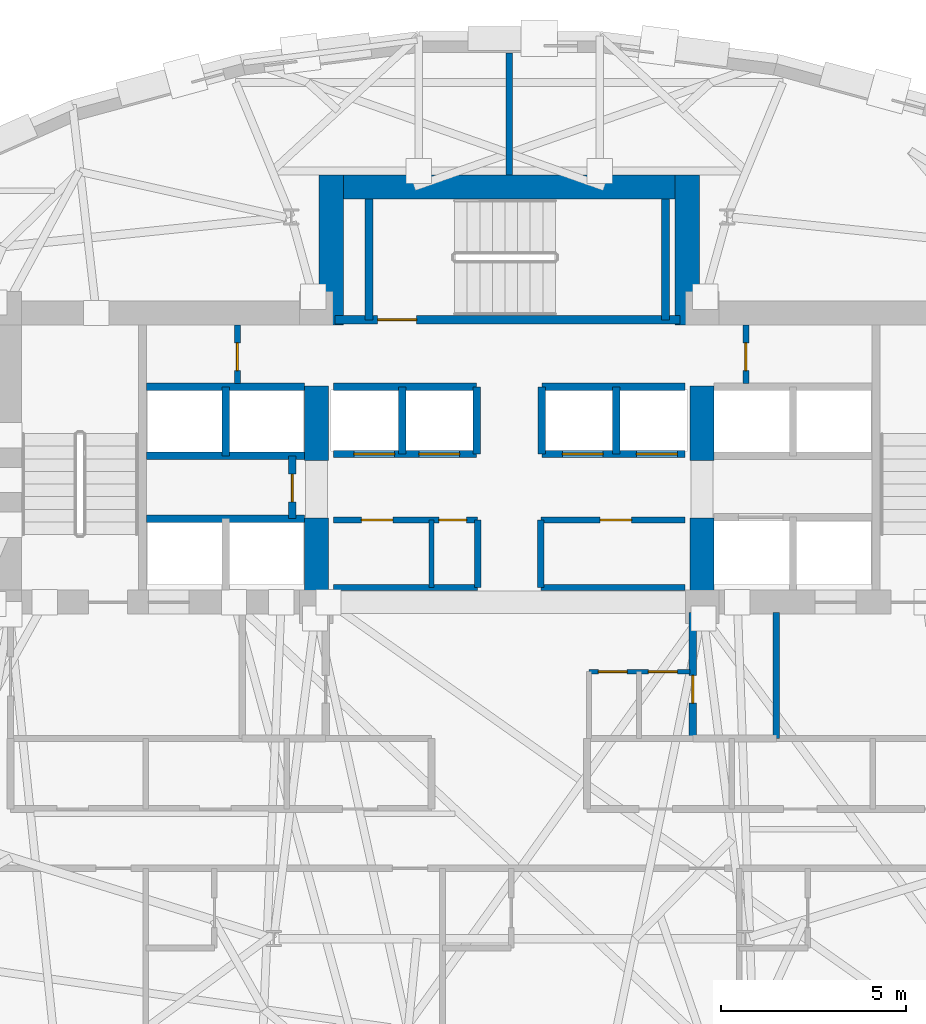
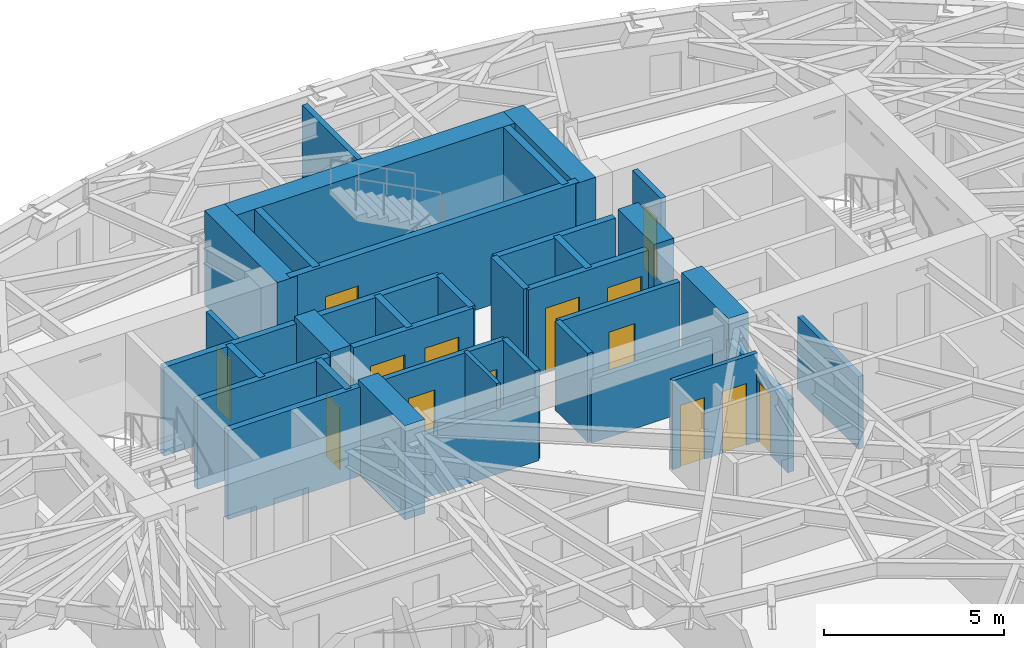
# One storey, part 8 of 15: 36 walls, 14 doors, 14 openings.
"""IFC4 building model written with IfcOpenShell, lengths in metres."""

from ifc_helpers import new_model, si_unit, direction, frame, frame_2d, origin, place, context, subcontext, project, spatial, rectangle, extrude, material, layer, layer_set, type_object, element, fill, save


model = new_model("IFC4")

# Units and contexts
model_context = context("Model", 3, precision=1e-05, world=origin(), true_north=direction((0.0, 1.0)))
body_context = subcontext(model_context, "Body", "Model", "MODEL_VIEW")
ifc_project = project(units=[si_unit("LENGTHUNIT", "METRE"), si_unit("AREAUNIT", "SQUARE_METRE"), si_unit("VOLUMEUNIT", "CUBIC_METRE"), si_unit("PLANEANGLEUNIT", "RADIAN"), si_unit("MASSUNIT", "GRAM", prefix="KILO")], contexts=[model_context])

# Site, building, storey
site_placement = place(None, origin())
site = spatial("IfcSite", under=ifc_project, at=site_placement, CompositionType="ELEMENT")
building_placement = place(site_placement, origin())
building = spatial("IfcBuilding", under=site, at=building_placement, Name="Keldmark Tower", CompositionType="ELEMENT")
storey_placement = place(building_placement, frame((0.0, 0.0, 159.800048828125)))
storey = spatial("IfcBuildingStorey", under=building, at=storey_placement, Name="L43", CompositionType="ELEMENT", Elevation=159.800048828125)

# Wall, openings, doors
ifc_material_1 = material(Name="Acoustic Gypsum Board Interior Partition", Category="gypsum")
ifc_layer_1 = layer(ifc_material_1, 0.1298828125)
ifc_layer_set_1 = layer_set([ifc_layer_1], Name="Acoustic Gypsum Board Interior Partition")
wall_type_1 = type_object("IfcWallType", Name="Interior Partition 130 mm", PredefinedType="PARTITIONING", material=ifc_layer_set_1)
wall_1_placement = place(storey_placement, frame((2.14990234375, -0.35009765625, 0.0), z_axis=(0.0, 0.0, 1.0), x_axis=(1.0, 0.0, 0.0)))
wall_1 = element("IfcWall", 1, at=wall_1_placement, inside=storey, type_object=wall_type_1, Name="L43 Interior Partition 130 mm CSC-E-N", PredefinedType="PARTITIONING", context=body_context, shape_type="SweptSolid", body=[
    extrude(rectangle(XDim=2.72998046875, YDim=0.1298828125, at=frame_2d((1.364990234375, 0.0))), origin(), (0.0, 0.0, 1.0), 3.02001953125),
])
opening_1_placement = place(wall_1_placement, frame((0.25, 0.0, 0.0)))
opening_1 = element("IfcOpeningElement", 2, at=opening_1_placement, cuts=wall_1, Name="Opening D-CL078", PredefinedType="OPENING", context=body_context, shape_type="SweptSolid", body=[
    extrude(rectangle(XDim=0.780029296875, YDim=2.10009765625, at=frame_2d((0.39013671875, 1.050048828125))), frame((0.0, 0.074951171875, 0.0), z_axis=(0.0, -1.0, 0.0), x_axis=(1.0, 0.0, 0.0)), (0.0, 0.0, 1.0), 0.14990234375),
])
opening_2_placement = place(wall_1_placement, frame((1.60009765625, 0.0, 0.0)))
opening_2 = element("IfcOpeningElement", 3, at=opening_2_placement, cuts=wall_1, Name="Opening D-CL078", PredefinedType="OPENING", context=body_context, shape_type="SweptSolid", body=[
    extrude(rectangle(XDim=0.780029296875, YDim=2.10009765625, at=frame_2d((0.39013671875, 1.050048828125))), frame((0.0, 0.074951171875, 0.0), z_axis=(0.0, -1.0, 0.0), x_axis=(1.0, 0.0, 0.0)), (0.0, 0.0, 1.0), 0.14990234375),
])
ifc_material_2 = material(Name="Flush Utility Closet Timber Door", Category="wood")
door_type_1 = type_object("IfcDoorType", Name="Closet Door 780x2100", OperationType="NOTDEFINED", PredefinedType="DOOR", material=ifc_material_2)
door_1_placement = place(opening_1_placement, origin())
door_1 = element("IfcDoor", 4, at=door_1_placement, inside=storey, type_object=door_type_1, Name="L43 Closet Door 780x2100 D-CSCE1-L43", OperationType="SINGLE_SWING_LEFT", OverallHeight=2.10009765625, OverallWidth=0.780029296875, PredefinedType="DOOR", context=body_context, shape_type="SweptSolid", body=[
    extrude(rectangle(XDim=0.780029296875, YDim=2.10009765625, at=frame_2d((0.39013671875, 1.050048828125))), frame((0.0, 0.02490234375, 0.0), z_axis=(0.0, -1.0, 0.0), x_axis=(1.0, 0.0, 0.0)), (0.0, 0.0, 1.0), 0.050048828125),
])
fill(opening_1, door_1)
door_2_placement = place(opening_2_placement, origin())
door_2 = element("IfcDoor", 5, at=door_2_placement, inside=storey, type_object=door_type_1, Name="L43 Closet Door 780x2100 D-CSCE2-L43", OperationType="SINGLE_SWING_RIGHT", OverallHeight=2.10009765625, OverallWidth=0.780029296875, PredefinedType="DOOR", context=body_context, shape_type="SweptSolid", body=[
    extrude(rectangle(XDim=0.780029296875, YDim=2.10009765625, at=frame_2d((0.39013671875, 1.050048828125))), frame((0.0, 0.02490234375, 0.0), z_axis=(0.0, -1.0, 0.0), x_axis=(1.0, 0.0, 0.0)), (0.0, 0.0, 1.0), 0.050048828125),
])
fill(opening_2, door_2)

# Walls
wall_2_placement = place(storey_placement, frame((-2.10009765625, 1.919921875, 0.0), z_axis=(0.0, 0.0, 1.0), x_axis=(0.0, 1.0, 0.0)))
element("IfcWall", 6, at=wall_2_placement, inside=storey, type_object=wall_type_1, Name="L43 Interior Partition 130 mm REC-LW-M", PredefinedType="PARTITIONING", context=body_context, shape_type="SweptSolid", body=[
    extrude(rectangle(XDim=1.820068359375, YDim=0.1298828125, at=frame_2d((0.91015625, 0.0))), origin(), (0.0, 0.0, 1.0), 3.02001953125),
])
ifc_material_3 = material(Name="Type X Fire-Rated Gypsum Partition Assembly", Category="gypsum")
ifc_layer_2 = layer(ifc_material_3, 0.1650390625)
ifc_layer_set_2 = layer_set([ifc_layer_2], Name="Type X Fire-Rated Gypsum Partition Assembly")
wall_type_2 = type_object("IfcWallType", Name="Rated Partition 165 mm", PredefinedType="PARTITIONING", material=ifc_layer_set_2)
wall_3_placement = place(storey_placement, frame((7.199951171875, -2.14990234375, 0.0), z_axis=(0.0, 0.0, 1.0), x_axis=(0.0, 1.0, 0.0)))
element("IfcWall", 7, at=wall_3_placement, inside=storey, type_object=wall_type_2, Name="L43 Rated Partition 165 mm FSAE-E-W", PredefinedType="PARTITIONING", context=body_context, shape_type="SweptSolid", body=[
    extrude(rectangle(XDim=3.39990234375, YDim=0.1650390625, at=frame_2d((1.699951171875, 0.0))), origin(), (0.0, 0.0, 1.0), 2.472900390625),
])
wall_4_placement = place(storey_placement, frame((-4.739990234375, 1.919921875, 0.0), z_axis=(0.0, 0.0, 1.0), x_axis=(1.0, 0.0, 0.0)))
element("IfcWall", 8, at=wall_4_placement, inside=storey, type_object=wall_type_2, Name="L43 Rated Partition 165 mm REC-LW-S", PredefinedType="PARTITIONING", context=body_context, shape_type="SweptSolid", body=[
    extrude(rectangle(XDim=3.889892578125, YDim=0.1650390625, at=frame_2d((1.94482421875, 0.0))), origin(), (0.0, 0.0, 1.0), 2.159912109375),
])

# Wall, openings, doors
wall_5_placement = place(storey_placement, frame((-4.739990234375, 3.739990234375, 0.0), z_axis=(0.0, 0.0, 1.0), x_axis=(1.0, 0.0, 0.0)))
wall_5 = element("IfcWall", 9, at=wall_5_placement, inside=storey, type_object=wall_type_2, Name="L43 Rated Partition 165 mm REC-LW-N", PredefinedType="PARTITIONING", context=body_context, shape_type="SweptSolid", body=[
    extrude(rectangle(XDim=3.889892578125, YDim=0.1650390625, at=frame_2d((1.94482421875, 0.0))), origin(), (0.0, 0.0, 1.0), 3.02001953125),
])
opening_3_placement = place(wall_5_placement, frame((0.75, 0.0, 0.0)))
opening_3 = element("IfcOpeningElement", 10, at=opening_3_placement, cuts=wall_5, Name="Opening D-SV085", PredefinedType="OPENING", context=body_context, shape_type="SweptSolid", body=[
    extrude(rectangle(XDim=0.85009765625, YDim=2.10009765625, at=frame_2d((0.425048828125, 1.050048828125))), frame((0.0, 0.092529296875, 0.0), z_axis=(0.0, -1.0, 0.0), x_axis=(1.0, 0.0, 0.0)), (0.0, 0.0, 1.0), 0.18505859375),
])
opening_4_placement = place(wall_5_placement, frame((2.840087890625, 0.0, 0.0)))
opening_4 = element("IfcOpeningElement", 11, at=opening_4_placement, cuts=wall_5, Name="Opening D-RS075", PredefinedType="OPENING", context=body_context, shape_type="SweptSolid", body=[
    extrude(rectangle(XDim=0.75, YDim=2.10009765625, at=frame_2d((0.375, 1.050048828125))), frame((0.0, 0.092529296875, 0.0), z_axis=(0.0, -1.0, 0.0), x_axis=(1.0, 0.0, 0.0)), (0.0, 0.0, 1.0), 0.18505859375),
])
ifc_material_4 = material(Name="Galvanized Fire-Rated Access Leaf", Category="metal")
door_type_2 = type_object("IfcDoorType", Name="Riser Access Door 750x2100", OperationType="NOTDEFINED", PredefinedType="DOOR", material=ifc_material_4)
door_3_placement = place(opening_4_placement, origin())
door_3 = element("IfcDoor", 12, at=door_3_placement, inside=storey, type_object=door_type_2, Name="L43 Riser Access Door 750x2100 D-RECLW2-L43", OperationType="SINGLE_SWING_RIGHT", OverallHeight=2.10009765625, OverallWidth=0.75, PredefinedType="DOOR", context=body_context, shape_type="SweptSolid", body=[
    extrude(rectangle(XDim=0.75, YDim=2.10009765625, at=frame_2d((0.375, 1.050048828125))), frame((0.0, 0.02490234375, 0.0), z_axis=(0.0, -1.0, 0.0), x_axis=(1.0, 0.0, 0.0)), (0.0, 0.0, 1.0), 0.050048828125),
])
fill(opening_4, door_3)
ifc_material_5 = material(Name="Painted Hollow Metal Door Assembly", Category="metal")
door_type_3 = type_object("IfcDoorType", Name="Service Door 850x2100", OperationType="NOTDEFINED", PredefinedType="DOOR", material=ifc_material_5)
door_4_placement = place(opening_3_placement, origin())
door_4 = element("IfcDoor", 13, at=door_4_placement, inside=storey, type_object=door_type_3, Name="L43 Service Door 850x2100 D-RECLW1-L43", OperationType="SINGLE_SWING_LEFT", OverallHeight=2.10009765625, OverallWidth=0.85009765625, PredefinedType="DOOR", context=body_context, shape_type="SweptSolid", body=[
    extrude(rectangle(XDim=0.85009765625, YDim=2.10009765625, at=frame_2d((0.425048828125, 1.050048828125))), frame((0.0, 0.02490234375, 0.0), z_axis=(0.0, -1.0, 0.0), x_axis=(1.0, 0.0, 0.0)), (0.0, 0.0, 1.0), 0.050048828125),
])
fill(opening_3, door_4)

# Walls
wall_6_placement = place(storey_placement, frame((-0.85009765625, 1.919921875, 0.0), z_axis=(0.0, 0.0, 1.0), x_axis=(0.0, 1.0, 0.0)))
element("IfcWall", 14, at=wall_6_placement, inside=storey, type_object=wall_type_2, Name="L43 Rated Partition 165 mm REC-LW-E", PredefinedType="PARTITIONING", context=body_context, shape_type="SweptSolid", body=[
    extrude(rectangle(XDim=1.820068359375, YDim=0.1650390625, at=frame_2d((0.91015625, 0.0))), origin(), (0.0, 0.0, 1.0), 3.02001953125),
])
wall_7_placement = place(storey_placement, frame((0.85009765625, 1.919921875, 0.0), z_axis=(0.0, 0.0, 1.0), x_axis=(1.0, 0.0, 0.0)))
element("IfcWall", 15, at=wall_7_placement, inside=storey, type_object=wall_type_2, Name="L43 Rated Partition 165 mm REC-LE-S", PredefinedType="PARTITIONING", context=body_context, shape_type="SweptSolid", body=[
    extrude(rectangle(XDim=3.889892578125, YDim=0.1650390625, at=frame_2d((1.94482421875, 0.0))), origin(), (0.0, 0.0, 1.0), 2.159912109375),
])

# Wall, opening, door
wall_8_placement = place(storey_placement, frame((0.85009765625, 3.739990234375, 0.0), z_axis=(0.0, 0.0, 1.0), x_axis=(1.0, 0.0, 0.0)))
wall_8 = element("IfcWall", 16, at=wall_8_placement, inside=storey, type_object=wall_type_2, Name="L43 Rated Partition 165 mm REC-LE-N", PredefinedType="PARTITIONING", context=body_context, shape_type="SweptSolid", body=[
    extrude(rectangle(XDim=3.889892578125, YDim=0.1650390625, at=frame_2d((1.94482421875, 0.0))), origin(), (0.0, 0.0, 1.0), 3.02001953125),
])
opening_5_placement = place(wall_8_placement, frame((1.60009765625, 0.0, 0.0)))
opening_5 = element("IfcOpeningElement", 17, at=opening_5_placement, cuts=wall_8, Name="Opening D-SV085", PredefinedType="OPENING", context=body_context, shape_type="SweptSolid", body=[
    extrude(rectangle(XDim=0.85009765625, YDim=2.10009765625, at=frame_2d((0.425048828125, 1.050048828125))), frame((0.0, 0.092529296875, 0.0), z_axis=(0.0, -1.0, 0.0), x_axis=(1.0, 0.0, 0.0)), (0.0, 0.0, 1.0), 0.18505859375),
])
door_5_placement = place(opening_5_placement, origin())
door_5 = element("IfcDoor", 18, at=door_5_placement, inside=storey, type_object=door_type_3, Name="L43 Service Door 850x2100 D-RECLE1-L43", OperationType="SINGLE_SWING_LEFT", OverallHeight=2.10009765625, OverallWidth=0.85009765625, PredefinedType="DOOR", context=body_context, shape_type="SweptSolid", body=[
    extrude(rectangle(XDim=0.85009765625, YDim=2.10009765625, at=frame_2d((0.425048828125, 1.050048828125))), frame((0.0, 0.02490234375, 0.0), z_axis=(0.0, -1.0, 0.0), x_axis=(1.0, 0.0, 0.0)), (0.0, 0.0, 1.0), 0.050048828125),
])
fill(opening_5, door_5)

# Wall
wall_9_placement = place(storey_placement, frame((0.85009765625, 1.919921875, 0.0), z_axis=(0.0, 0.0, 1.0), x_axis=(0.0, 1.0, 0.0)))
element("IfcWall", 19, at=wall_9_placement, inside=storey, type_object=wall_type_2, Name="L43 Rated Partition 165 mm REC-LE-W", PredefinedType="PARTITIONING", context=body_context, shape_type="SweptSolid", body=[
    extrude(rectangle(XDim=1.820068359375, YDim=0.1650390625, at=frame_2d((0.91015625, 0.0))), origin(), (0.0, 0.0, 1.0), 3.02001953125),
])

# Wall, opening, door
wall_10_placement = place(storey_placement, frame((-7.330078125, 7.419921875, 0.0), z_axis=(0.0, 0.0, 1.0), x_axis=(0.0, 1.0, 0.0)))
wall_10 = element("IfcWall", 20, at=wall_10_placement, inside=storey, type_object=wall_type_2, Name="L43 Rated Partition 165 mm CS-NW-E", PredefinedType="PARTITIONING", context=body_context, shape_type="SweptSolid", body=[
    extrude(rectangle(XDim=1.580078125, YDim=0.1650390625, at=frame_2d((0.7900390625, 0.0))), origin(), (0.0, 0.0, 1.0), 3.02001953125),
])
opening_6_placement = place(wall_10_placement, frame((0.35009765625, 0.0, 0.0)))
opening_6 = element("IfcOpeningElement", 21, at=opening_6_placement, cuts=wall_10, Name="Opening D-RS075", PredefinedType="OPENING", context=body_context, shape_type="SweptSolid", body=[
    extrude(rectangle(XDim=0.75, YDim=2.10009765625, at=frame_2d((0.375, 1.050048828125))), frame((0.0, 0.092529296875, 0.0), z_axis=(0.0, -1.0, 0.0), x_axis=(1.0, 0.0, 0.0)), (0.0, 0.0, 1.0), 0.18505859375),
])
door_6_placement = place(opening_6_placement, origin())
door_6 = element("IfcDoor", 22, at=door_6_placement, inside=storey, type_object=door_type_2, Name="L43 Riser Access Door 750x2100 D-CSNW1-L43", OperationType="SINGLE_SWING_RIGHT", OverallHeight=2.10009765625, OverallWidth=0.75, PredefinedType="DOOR", context=body_context, shape_type="SweptSolid", body=[
    extrude(rectangle(XDim=0.75, YDim=2.10009765625, at=frame_2d((0.375, 1.050048828125))), frame((0.0, 0.02490234375, 0.0), z_axis=(0.0, -1.0, 0.0), x_axis=(1.0, 0.0, 0.0)), (0.0, 0.0, 1.0), 0.050048828125),
])
fill(opening_6, door_6)

wall_11_placement = place(storey_placement, frame((6.3798828125, 7.419921875, 0.0), z_axis=(0.0, 0.0, 1.0), x_axis=(0.0, 1.0, 0.0)))
wall_11 = element("IfcWall", 23, at=wall_11_placement, inside=storey, type_object=wall_type_2, Name="L43 Rated Partition 165 mm CS-NE-W", PredefinedType="PARTITIONING", context=body_context, shape_type="SweptSolid", body=[
    extrude(rectangle(XDim=1.580078125, YDim=0.1650390625, at=frame_2d((0.7900390625, 0.0))), origin(), (0.0, 0.0, 1.0), 3.02001953125),
])
opening_7_placement = place(wall_11_placement, frame((0.35009765625, 0.0, 0.0)))
opening_7 = element("IfcOpeningElement", 24, at=opening_7_placement, cuts=wall_11, Name="Opening D-RS075", PredefinedType="OPENING", context=body_context, shape_type="SweptSolid", body=[
    extrude(rectangle(XDim=0.75, YDim=2.10009765625, at=frame_2d((0.375, 1.050048828125))), frame((0.0, 0.092529296875, 0.0), z_axis=(0.0, -1.0, 0.0), x_axis=(1.0, 0.0, 0.0)), (0.0, 0.0, 1.0), 0.18505859375),
])
door_7_placement = place(opening_7_placement, origin())
door_7 = element("IfcDoor", 25, at=door_7_placement, inside=storey, type_object=door_type_2, Name="L43 Riser Access Door 750x2100 D-CSNE1-L43", OperationType="SINGLE_SWING_LEFT", OverallHeight=2.10009765625, OverallWidth=0.75, PredefinedType="DOOR", context=body_context, shape_type="SweptSolid", body=[
    extrude(rectangle(XDim=0.75, YDim=2.10009765625, at=frame_2d((0.375, 1.050048828125))), frame((0.0, 0.02490234375, 0.0), z_axis=(0.0, -1.0, 0.0), x_axis=(1.0, 0.0, 0.0)), (0.0, 0.0, 1.0), 0.050048828125),
])
fill(opening_7, door_7)

# Wall
wall_12_placement = place(storey_placement, frame((0.0, 13.050048828125, 0.0), z_axis=(0.0, 0.0, 1.0), x_axis=(0.0, 1.0, 0.0)))
element("IfcWall", 26, at=wall_12_placement, inside=storey, type_object=wall_type_2, Name="L43 Rated Partition 165 mm HN-DIV", PredefinedType="PARTITIONING", context=body_context, shape_type="SweptSolid", body=[
    extrude(rectangle(XDim=3.2900390625, YDim=0.1650390625, at=frame_2d((1.64501953125, 0.0))), origin(), (0.0, 0.0, 1.0), 3.02001953125),
])

# Wall, opening, door
ifc_material_6 = material(Name="Fire-Resistant Type X Gypsum Shaftliner Coreboard", Category="gypsum")
ifc_layer_3 = layer(ifc_material_6, 0.199951171875)
ifc_layer_set_3 = layer_set([ifc_layer_3], Name="Fire-Resistant Type X Gypsum Shaftliner Coreboard")
wall_type_3 = type_object("IfcWallType", Name="Shaft Wall 200 mm", PredefinedType="SOLIDWALL", material=ifc_layer_set_3)
wall_13_placement = place(storey_placement, frame((4.949951171875, -2.14990234375, 0.0), z_axis=(0.0, 0.0, 1.0), x_axis=(0.0, 1.0, 0.0)))
wall_13 = element("IfcWall", 27, at=wall_13_placement, inside=storey, type_object=wall_type_3, Name="L43 Shaft Wall 200 mm RIS-SE-W", PredefinedType="SOLIDWALL", context=body_context, shape_type="SweptSolid", body=[
    extrude(rectangle(XDim=3.39990234375, YDim=0.199951171875, at=frame_2d((1.699951171875, 0.0))), origin(), (0.0, 0.0, 1.0), 2.472900390625),
])
opening_8_placement = place(wall_13_placement, frame((0.949951171875, 0.0, 0.0)))
opening_8 = element("IfcOpeningElement", 28, at=opening_8_placement, cuts=wall_13, Name="Opening D-RS075", PredefinedType="OPENING", context=body_context, shape_type="SweptSolid", body=[
    extrude(rectangle(XDim=0.75, YDim=2.10009765625, at=frame_2d((0.375, 1.050048828125))), frame((0.0, 0.10986328125, 0.0), z_axis=(0.0, -1.0, 0.0), x_axis=(1.0, 0.0, 0.0)), (0.0, 0.0, 1.0), 0.219970703125),
])
door_8_placement = place(opening_8_placement, origin())
door_8 = element("IfcDoor", 29, at=door_8_placement, inside=storey, type_object=door_type_2, Name="L43 Riser Access Door 750x2100 D-RISSE-L43", OperationType="SINGLE_SWING_LEFT", OverallHeight=2.10009765625, OverallWidth=0.75, PredefinedType="DOOR", context=body_context, shape_type="SweptSolid", body=[
    extrude(rectangle(XDim=0.75, YDim=2.10009765625, at=frame_2d((0.375, 1.050048828125))), frame((0.0, 0.02490234375, 0.0), z_axis=(0.0, -1.0, 0.0), x_axis=(1.0, 0.0, 0.0)), (0.0, 0.0, 1.0), 0.050048828125),
])
fill(opening_8, door_8)

# Walls
for number, where, z_axis, x_axis, name in (
    (30, (-9.780029296875, 3.780029296875, 0.0), (0.0, 0.0, 1.0), (1.0, 0.0, 0.0), "L43 Shaft Wall 200 mm HW-W-S"),
    (31, (-9.780029296875, 5.469970703125, 0.0), (0.0, 0.0, 1.0), (1.0, 0.0, 0.0), "L43 Shaft Wall 200 mm HW-W-N"),
    (32, (-9.780029296875, 7.330078125, 0.0), (0.0, 0.0, 1.0), (1.0, 0.0, 0.0), "L43 Shaft Wall 200 mm HW-W-TOP"),
):
    element("IfcWall", number, at=place(storey_placement, frame(where, z_axis=z_axis, x_axis=x_axis)), inside=storey, type_object=wall_type_3, Name=name, PredefinedType="SOLIDWALL", context=body_context, shape_type="SweptSolid", body=[
        extrude(rectangle(XDim=4.255126953125, YDim=0.199951171875, at=frame_2d((2.12744140625, 0.0))), origin(), (0.0, 0.0, 1.0), 3.02001953125),
    ])
wall_14_placement = place(storey_placement, frame((-7.64990234375, 5.469970703125, 0.0), z_axis=(0.0, 0.0, 1.0), x_axis=(0.0, 1.0, 0.0)))
element("IfcWall", 33, at=wall_14_placement, inside=storey, type_object=wall_type_3, Name="L43 Shaft Wall 200 mm HW-W-NM", PredefinedType="SOLIDWALL", context=body_context, shape_type="SweptSolid", body=[
    extrude(rectangle(XDim=1.860107421875, YDim=0.199951171875, at=frame_2d((0.93017578125, 0.0))), origin(), (0.0, 0.0, 1.0), 3.02001953125),
])

# Wall, opening, door
wall_15_placement = place(storey_placement, frame((-5.85009765625, 3.780029296875, 0.0), z_axis=(0.0, 0.0, 1.0), x_axis=(0.0, 1.0, 0.0)))
wall_15 = element("IfcWall", 34, at=wall_15_placement, inside=storey, type_object=wall_type_3, Name="L43 Shaft Wall 200 mm HW-W-CLOSE", PredefinedType="SOLIDWALL", context=body_context, shape_type="SweptSolid", body=[
    extrude(rectangle(XDim=1.68994140625, YDim=0.199951171875, at=frame_2d((0.844970703125, 0.0))), origin(), (0.0, 0.0, 1.0), 3.02001953125),
])
opening_9_placement = place(wall_15_placement, frame((0.449951171875, 0.0, 0.0)))
opening_9 = element("IfcOpeningElement", 35, at=opening_9_placement, cuts=wall_15, Name="Opening D-RS075", PredefinedType="OPENING", context=body_context, shape_type="SweptSolid", body=[
    extrude(rectangle(XDim=0.75, YDim=2.10009765625, at=frame_2d((0.375, 1.050048828125))), frame((0.0, 0.10986328125, 0.0), z_axis=(0.0, -1.0, 0.0), x_axis=(1.0, 0.0, 0.0)), (0.0, 0.0, 1.0), 0.219970703125),
])
door_9_placement = place(opening_9_placement, origin())
door_9 = element("IfcDoor", 36, at=door_9_placement, inside=storey, type_object=door_type_2, Name="L43 Riser Access Door 750x2100 D-RISHW-L43", OperationType="SINGLE_SWING_RIGHT", OverallHeight=2.10009765625, OverallWidth=0.75, PredefinedType="DOOR", context=body_context, shape_type="SweptSolid", body=[
    extrude(rectangle(XDim=0.75, YDim=2.10009765625, at=frame_2d((0.375, 1.050048828125))), frame((0.0, 0.02490234375, 0.0), z_axis=(0.0, -1.0, 0.0), x_axis=(1.0, 0.0, 0.0)), (0.0, 0.0, 1.0), 0.050048828125),
])
fill(opening_9, door_9)

# Wall, openings, doors
wall_16_placement = place(storey_placement, frame((-4.739990234375, 5.52001953125, 0.0), z_axis=(0.0, 0.0, 1.0), x_axis=(1.0, 0.0, 0.0)))
wall_16 = element("IfcWall", 37, at=wall_16_placement, inside=storey, type_object=wall_type_3, Name="L43 Shaft Wall 200 mm MID-S-W", PredefinedType="SOLIDWALL", context=body_context, shape_type="SweptSolid", body=[
    extrude(rectangle(XDim=3.860107421875, YDim=0.199951171875, at=frame_2d((1.93017578125, 0.0))), origin(), (0.0, 0.0, 1.0), 3.02001953125),
])
opening_10_placement = place(wall_16_placement, frame((0.550048828125, 0.0, 0.0)))
opening_10 = element("IfcOpeningElement", 38, at=opening_10_placement, cuts=wall_16, Name="Opening LD-110", PredefinedType="OPENING", context=body_context, shape_type="SweptSolid", body=[
    extrude(rectangle(XDim=1.10009765625, YDim=2.199951171875, at=frame_2d((0.550048828125, 1.10009765625))), frame((0.0, 0.10986328125, 0.0), z_axis=(0.0, -1.0, 0.0), x_axis=(1.0, 0.0, 0.0)), (0.0, 0.0, 1.0), 0.219970703125),
])
opening_11_placement = place(wall_16_placement, frame((2.300048828125, 0.0, 0.0)))
opening_11 = element("IfcOpeningElement", 39, at=opening_11_placement, cuts=wall_16, Name="Opening LD-110", PredefinedType="OPENING", context=body_context, shape_type="SweptSolid", body=[
    extrude(rectangle(XDim=1.10009765625, YDim=2.199951171875, at=frame_2d((0.550048828125, 1.10009765625))), frame((0.0, 0.10986328125, 0.0), z_axis=(0.0, -1.0, 0.0), x_axis=(1.0, 0.0, 0.0)), (0.0, 0.0, 1.0), 0.219970703125),
])
ifc_material_7 = material(Name="Brushed Bronze Hoistway Sliding Leaf", Category="metal")
door_type_4 = type_object("IfcDoorType", Name="Lift Landing Sliding Door 1100x2200", OperationType="SLIDING_TO_LEFT", PredefinedType="DOOR", material=ifc_material_7)
door_10_placement = place(opening_10_placement, origin())
door_10 = element("IfcDoor", 40, at=door_10_placement, inside=storey, type_object=door_type_4, Name="L43 Lift Landing Sliding Door 1100x2200 LD-EL-M1-L43", OperationType="SLIDING_TO_LEFT", OverallHeight=2.199951171875, OverallWidth=1.10009765625, PredefinedType="DOOR", context=body_context, shape_type="SweptSolid", body=[
    extrude(rectangle(XDim=1.10009765625, YDim=2.199951171875, at=frame_2d((0.550048828125, 1.10009765625))), frame((0.0, 0.02490234375, 0.0), z_axis=(0.0, -1.0, 0.0), x_axis=(1.0, 0.0, 0.0)), (0.0, 0.0, 1.0), 0.050048828125),
])
fill(opening_10, door_10)
door_11_placement = place(opening_11_placement, origin())
door_11 = element("IfcDoor", 41, at=door_11_placement, inside=storey, type_object=door_type_4, Name="L43 Lift Landing Sliding Door 1100x2200 LD-EL-M2-L43", OperationType="SLIDING_TO_LEFT", OverallHeight=2.199951171875, OverallWidth=1.10009765625, PredefinedType="DOOR", context=body_context, shape_type="SweptSolid", body=[
    extrude(rectangle(XDim=1.10009765625, YDim=2.199951171875, at=frame_2d((0.550048828125, 1.10009765625))), frame((0.0, 0.02490234375, 0.0), z_axis=(0.0, -1.0, 0.0), x_axis=(1.0, 0.0, 0.0)), (0.0, 0.0, 1.0), 0.050048828125),
])
fill(opening_11, door_11)

wall_17_placement = place(storey_placement, frame((0.8798828125, 5.52001953125, 0.0), z_axis=(0.0, 0.0, 1.0), x_axis=(1.0, 0.0, 0.0)))
wall_17 = element("IfcWall", 42, at=wall_17_placement, inside=storey, type_object=wall_type_3, Name="L43 Shaft Wall 200 mm MID-S-E", PredefinedType="SOLIDWALL", context=body_context, shape_type="SweptSolid", body=[
    extrude(rectangle(XDim=3.860107421875, YDim=0.199951171875, at=frame_2d((1.93017578125, 0.0))), origin(), (0.0, 0.0, 1.0), 3.02001953125),
])
opening_12_placement = place(wall_17_placement, frame((0.550048828125, 0.0, 0.0)))
opening_12 = element("IfcOpeningElement", 43, at=opening_12_placement, cuts=wall_17, Name="Opening LD-110", PredefinedType="OPENING", context=body_context, shape_type="SweptSolid", body=[
    extrude(rectangle(XDim=1.10009765625, YDim=2.199951171875, at=frame_2d((0.550048828125, 1.10009765625))), frame((0.0, 0.10986328125, 0.0), z_axis=(0.0, -1.0, 0.0), x_axis=(1.0, 0.0, 0.0)), (0.0, 0.0, 1.0), 0.219970703125),
])
opening_13_placement = place(wall_17_placement, frame((2.550048828125, 0.0, 0.0)))
opening_13 = element("IfcOpeningElement", 44, at=opening_13_placement, cuts=wall_17, Name="Opening LD-110", PredefinedType="OPENING", context=body_context, shape_type="SweptSolid", body=[
    extrude(rectangle(XDim=1.10009765625, YDim=2.199951171875, at=frame_2d((0.550048828125, 1.10009765625))), frame((0.0, 0.10986328125, 0.0), z_axis=(0.0, -1.0, 0.0), x_axis=(1.0, 0.0, 0.0)), (0.0, 0.0, 1.0), 0.219970703125),
])
door_12_placement = place(opening_12_placement, origin())
door_12 = element("IfcDoor", 45, at=door_12_placement, inside=storey, type_object=door_type_4, Name="L43 Lift Landing Sliding Door 1100x2200 LD-EL-M3-L43", OperationType="SLIDING_TO_LEFT", OverallHeight=2.199951171875, OverallWidth=1.10009765625, PredefinedType="DOOR", context=body_context, shape_type="SweptSolid", body=[
    extrude(rectangle(XDim=1.10009765625, YDim=2.199951171875, at=frame_2d((0.550048828125, 1.10009765625))), frame((0.0, 0.02490234375, 0.0), z_axis=(0.0, -1.0, 0.0), x_axis=(1.0, 0.0, 0.0)), (0.0, 0.0, 1.0), 0.050048828125),
])
fill(opening_12, door_12)
door_13_placement = place(opening_13_placement, origin())
door_13 = element("IfcDoor", 46, at=door_13_placement, inside=storey, type_object=door_type_4, Name="L43 Lift Landing Sliding Door 1100x2200 LD-EL-M4-L43", OperationType="SLIDING_TO_LEFT", OverallHeight=2.199951171875, OverallWidth=1.10009765625, PredefinedType="DOOR", context=body_context, shape_type="SweptSolid", body=[
    extrude(rectangle(XDim=1.10009765625, YDim=2.199951171875, at=frame_2d((0.550048828125, 1.10009765625))), frame((0.0, 0.02490234375, 0.0), z_axis=(0.0, -1.0, 0.0), x_axis=(1.0, 0.0, 0.0)), (0.0, 0.0, 1.0), 0.050048828125),
])
fill(opening_13, door_13)

# Walls
for number, where, z_axis, x_axis, name in (
    (47, (-4.739990234375, 7.330078125, 0.0), (0.0, 0.0, 1.0), (1.0, 0.0, 0.0), "L43 Shaft Wall 200 mm MID-N-W"),
    (48, (0.8798828125, 7.330078125, 0.0), (0.0, 0.0, 1.0), (1.0, 0.0, 0.0), "L43 Shaft Wall 200 mm MID-N-E"),
):
    element("IfcWall", number, at=place(storey_placement, frame(where, z_axis=z_axis, x_axis=x_axis)), inside=storey, type_object=wall_type_3, Name=name, PredefinedType="SOLIDWALL", context=body_context, shape_type="SweptSolid", body=[
        extrude(rectangle(XDim=3.860107421875, YDim=0.199951171875, at=frame_2d((1.93017578125, 0.0))), origin(), (0.0, 0.0, 1.0), 3.02001953125),
    ])
for number, where, z_axis, x_axis, name in (
    (49, (-2.8798828125, 5.52001953125, 0.0), (0.0, 0.0, 1.0), (0.0, 1.0, 0.0), "L43 Shaft Wall 200 mm MID-M-W"),
    (50, (2.8798828125, 5.52001953125, 0.0), (0.0, 0.0, 1.0), (0.0, 1.0, 0.0), "L43 Shaft Wall 200 mm MID-M-E"),
    (51, (-0.8798828125, 5.52001953125, 0.0), (0.0, 0.0, 1.0), (0.0, 1.0, 0.0), "L43 Shaft Wall 200 mm MID-C-W"),
    (52, (0.8798828125, 5.52001953125, 0.0), (0.0, 0.0, 1.0), (0.0, 1.0, 0.0), "L43 Shaft Wall 200 mm MID-C-E"),
):
    element("IfcWall", number, at=place(storey_placement, frame(where, z_axis=z_axis, x_axis=x_axis)), inside=storey, type_object=wall_type_3, Name=name, PredefinedType="SOLIDWALL", context=body_context, shape_type="SweptSolid", body=[
        extrude(rectangle(XDim=1.81005859375, YDim=0.199951171875, at=frame_2d((0.905029296875, 0.0))), origin(), (0.0, 0.0, 1.0), 3.02001953125),
    ])

# Wall, opening, door
ifc_material_8 = material(Name="Concrete C50/60", Category="concrete")
ifc_layer_4 = layer(ifc_material_8, 0.219970703125)
ifc_layer_set_4 = layer_set([ifc_layer_4], Name="Concrete C50/60")
wall_type_4 = type_object("IfcWallType", Name="Stair Core Shear Wall 220 mm", PredefinedType="SHEAR", material=ifc_layer_set_4)
wall_18_placement = place(storey_placement, frame((-4.699951171875, 9.139892578125, 0.0), z_axis=(0.0, 0.0, 1.0), x_axis=(1.0, 0.0, 0.0)))
wall_18 = element("IfcWall", 53, at=wall_18_placement, inside=storey, type_object=wall_type_4, Name="L43 Central Stair Core South Shear Wall", PredefinedType="SHEAR", context=body_context, shape_type="SweptSolid", body=[
    extrude(rectangle(XDim=9.300048828125, YDim=0.219970703125, at=frame_2d((4.64990234375, 0.0))), origin(), (0.0, 0.0, 1.0), 3.199951171875),
])
opening_14_placement = place(wall_18_placement, frame((1.14990234375, 0.0, 0.0)))
opening_14 = element("IfcOpeningElement", 54, at=opening_14_placement, cuts=wall_18, Name="Opening D-ST105", PredefinedType="OPENING", context=body_context, shape_type="SweptSolid", body=[
    extrude(rectangle(XDim=1.050048828125, YDim=2.14990234375, at=frame_2d((0.52490234375, 1.074951171875))), frame((0.0, 0.119873046875, 0.0), z_axis=(0.0, -1.0, 0.0), x_axis=(1.0, 0.0, 0.0)), (0.0, 0.0, 1.0), 0.239990234375),
])
ifc_material_9 = material(Name="Hollow Metal Fire-Rated Door Assembly", Category="metal")
door_type_5 = type_object("IfcDoorType", Name="Stair Fire Door 1050x2150", OperationType="NOTDEFINED", PredefinedType="DOOR", material=ifc_material_9)
door_14_placement = place(opening_14_placement, origin())
door_14 = element("IfcDoor", 55, at=door_14_placement, inside=storey, type_object=door_type_5, Name="L43 Stair Fire Door 1050x2150 D-ST3-L43", OperationType="SINGLE_SWING_RIGHT", OverallHeight=2.14990234375, OverallWidth=1.050048828125, PredefinedType="DOOR", context=body_context, shape_type="SweptSolid", body=[
    extrude(rectangle(XDim=1.050048828125, YDim=2.14990234375, at=frame_2d((0.52490234375, 1.074951171875))), frame((0.0, 0.02490234375, 0.0), z_axis=(0.0, -1.0, 0.0), x_axis=(1.0, 0.0, 0.0)), (0.0, 0.0, 1.0), 0.050048828125),
])
fill(opening_14, door_14)

# Walls
for number, where, z_axis, x_axis, name in (
    (56, (-3.784912109375, 9.139892578125, 0.0), (0.0, 0.0, 1.0), (0.0, 1.0, 0.0), "L43 Central Stair Core West Shear Wall"),
    (57, (4.215087890625, 9.139892578125, 0.0), (0.0, 0.0, 1.0), (0.0, 1.0, 0.0), "L43 Central Stair Core East Shear Wall"),
):
    element("IfcWall", number, at=place(storey_placement, frame(where, z_axis=z_axis, x_axis=x_axis)), inside=storey, type_object=wall_type_4, Name=name, PredefinedType="SHEAR", context=body_context, shape_type="SweptSolid", body=[
        extrude(rectangle(XDim=3.260009765625, YDim=0.219970703125, at=frame_2d((1.6298828125, 0.0))), origin(), (0.0, 0.0, 1.0), 3.199951171875),
    ])
ifc_material_10 = material(Name="Concrete C50/60", Category="concrete")
ifc_layer_5 = layer(ifc_material_10, 0.64990234375)
ifc_layer_set_5 = layer_set([ifc_layer_5], Name="Concrete C50/60")
wall_type_5 = type_object("IfcWallType", Name="Upper-Mid Core Shear Wall 650 mm", PredefinedType="SHEAR", material=ifc_layer_set_5)
wall_19_placement = place(storey_placement, frame((-5.199951171875, 1.199951171875, 0.0), z_axis=(0.0, 0.0, 1.0), x_axis=(0.0, 1.0, 0.0)))
element("IfcWall", 58, at=wall_19_placement, inside=storey, type_object=wall_type_5, Name="L43 West Core Inner Shear Pier South", PredefinedType="SHEAR", context=body_context, shape_type="SweptSolid", body=[
    extrude(rectangle(XDim=2.60009765625, YDim=0.64990234375, at=frame_2d((1.300048828125, 0.0))), origin(), (0.0, 0.0, 1.0), 3.199951171875),
])
wall_20_placement = place(storey_placement, frame((-5.199951171875, 5.35009765625, 0.0), z_axis=(0.0, 0.0, 1.0), x_axis=(0.0, 1.0, 0.0)))
element("IfcWall", 59, at=wall_20_placement, inside=storey, type_object=wall_type_5, Name="L43 West Core Inner Shear Pier North", PredefinedType="SHEAR", context=body_context, shape_type="SweptSolid", body=[
    extrude(rectangle(XDim=2.0, YDim=0.64990234375, at=frame_2d((1.0, 0.0))), origin(), (0.0, 0.0, 1.0), 3.199951171875),
])
wall_21_placement = place(storey_placement, frame((5.199951171875, 1.199951171875, 0.0), z_axis=(0.0, 0.0, 1.0), x_axis=(0.0, 1.0, 0.0)))
element("IfcWall", 60, at=wall_21_placement, inside=storey, type_object=wall_type_5, Name="L43 East Core Inner Shear Pier South", PredefinedType="SHEAR", context=body_context, shape_type="SweptSolid", body=[
    extrude(rectangle(XDim=2.60009765625, YDim=0.64990234375, at=frame_2d((1.300048828125, 0.0))), origin(), (0.0, 0.0, 1.0), 3.199951171875),
])
wall_22_placement = place(storey_placement, frame((5.199951171875, 5.35009765625, 0.0), z_axis=(0.0, 0.0, 1.0), x_axis=(0.0, 1.0, 0.0)))
element("IfcWall", 61, at=wall_22_placement, inside=storey, type_object=wall_type_5, Name="L43 East Core Inner Shear Pier North", PredefinedType="SHEAR", context=body_context, shape_type="SweptSolid", body=[
    extrude(rectangle(XDim=2.0, YDim=0.64990234375, at=frame_2d((1.0, 0.0))), origin(), (0.0, 0.0, 1.0), 3.199951171875),
])
wall_23_placement = place(storey_placement, frame((-5.125, 12.72509765625, 0.0), z_axis=(0.0, 0.0, 1.0), x_axis=(1.0, 0.0, 0.0)))
element("IfcWall", 62, at=wall_23_placement, inside=storey, type_object=wall_type_5, Name="L43 North Core Shear Wall", PredefinedType="SHEAR", context=body_context, shape_type="SweptSolid", body=[
    extrude(rectangle(XDim=10.25, YDim=0.64990234375, at=frame_2d((5.125, 0.0))), origin(), (0.0, 0.0, 1.0), 3.199951171875),
])
for number, where, z_axis, x_axis, name in (
    (63, (-4.800048828125, 9.0, 0.0), (0.0, 0.0, 1.0), (0.0, 1.0, 0.0), "L43 North Core West Shear Wall"),
    (64, (4.800048828125, 9.0, 0.0), (0.0, 0.0, 1.0), (0.0, 1.0, 0.0), "L43 North Core East Shear Wall"),
):
    element("IfcWall", number, at=place(storey_placement, frame(where, z_axis=z_axis, x_axis=x_axis)), inside=storey, type_object=wall_type_5, Name=name, PredefinedType="SHEAR", context=body_context, shape_type="SweptSolid", body=[
        extrude(rectangle(XDim=4.050048828125, YDim=0.64990234375, at=frame_2d((2.02490234375, 0.0))), origin(), (0.0, 0.0, 1.0), 3.199951171875),
    ])

save(model, "model.ifc")
